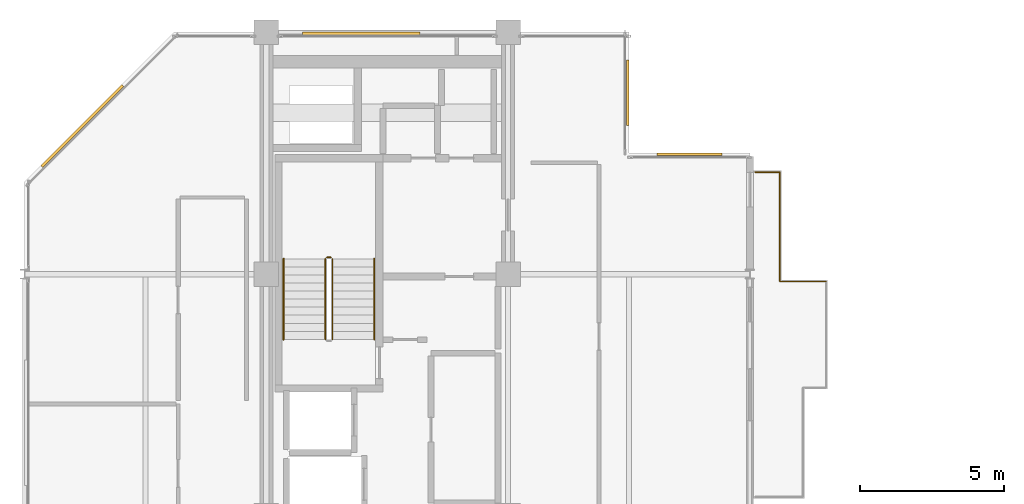
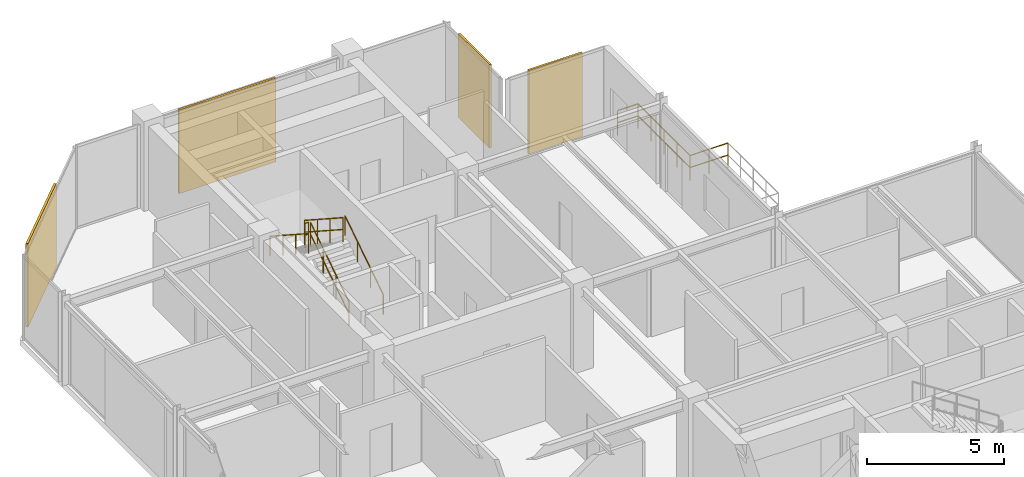
# One storey, part 24 of 24: 8 railings, 4 coverings.
"""IFC4 building model written with IfcOpenShell, lengths in metres."""

from ifc_helpers import new_model, si_unit, direction, frame, origin, origin_2d, place, context, subcontext, project, spatial, rectangle, circle, extrude, material, layer, layer_set, type_object, element, save


model = new_model("IFC4")

# Units and contexts
model_context = context("Model", 3, precision=1e-05, world=origin(), true_north=direction((0.0, 1.0)))
body_context = subcontext(model_context, "Body", "Model", "MODEL_VIEW")
ifc_project = project(units=[si_unit("LENGTHUNIT", "METRE"), si_unit("AREAUNIT", "SQUARE_METRE"), si_unit("VOLUMEUNIT", "CUBIC_METRE"), si_unit("PLANEANGLEUNIT", "RADIAN"), si_unit("MASSUNIT", "GRAM", prefix="KILO")], contexts=[model_context])

# Site, building, storey
site_placement = place(None, origin())
site = spatial("IfcSite", under=ifc_project, at=site_placement, CompositionType="ELEMENT")
building_placement = place(site_placement, origin())
building = spatial("IfcBuilding", under=site, at=building_placement, Name="Nerrivon Quay Data Exchange", CompositionType="ELEMENT")
storey_placement = place(building_placement, frame((0.0, 0.0, 310.199951171875)))
storey = spatial("IfcBuildingStorey", under=building, at=storey_placement, Name="L74", CompositionType="ELEMENT", Elevation=310.199951171875)

# Coverings
ifc_material_1 = material(Name="Architectural terracotta ceramic", Category="masonry")
ifc_layer = layer(ifc_material_1, 0.090087890625)
ifc_layer_set = layer_set([ifc_layer], Name="Architectural terracotta ceramic")
covering_type = type_object("IfcCoveringType", Name="COV-SCR-TERR", PredefinedType="CLADDING", material=ifc_layer_set)
covering_1_placement = place(storey_placement, frame((2.0078125, 38.744140625, 0.0), z_axis=(0.0, 0.0, 1.0), x_axis=(0.707106781187, 0.707106781187, 0.0)))
element("IfcCovering", 1, at=covering_1_placement, inside=storey, type_object=covering_type, Name="L74 Perforated Terracotta SOLAR SCREEN Cassette", PredefinedType="CLADDING", context=body_context, shape_type="SweptSolid", body=[
    extrude(rectangle(XDim=3.970947265625, YDim=0.090087890625, at=origin_2d()), origin(), (0.0, 0.0, 1.0), 3.72509765625),
])
covering_2_placement = place(storey_placement, frame((11.694091796875, 41.955078125, 0.0), z_axis=(0.0, 0.0, 1.0), x_axis=(1.0, 0.0, 0.0)))
element("IfcCovering", 2, at=covering_2_placement, inside=storey, type_object=covering_type, Name="L74 Perforated Terracotta SOLAR SCREEN Cassette", PredefinedType="CLADDING", context=body_context, shape_type="SweptSolid", body=[
    extrude(rectangle(XDim=4.076904296875, YDim=0.090087890625, at=origin_2d()), origin(), (0.0, 0.0, 1.0), 3.72509765625),
])
for number, where, z_axis, x_axis, name in (
    (3, (20.955078125, 39.89990234375, 0.0), (0.0, 0.0, 1.0), (0.0, -1.0, 0.0), "L74 Perforated Terracotta SOLAR SCREEN Cassette"),
    (4, (23.10009765625, 37.7548828125, 0.0), (0.0, 0.0, 1.0), (1.0, 0.0, 0.0), "L74 Perforated Terracotta SOLAR SCREEN Cassette"),
):
    element("IfcCovering", number, at=place(storey_placement, frame(where, z_axis=z_axis, x_axis=x_axis)), inside=storey, type_object=covering_type, Name=name, PredefinedType="CLADDING", context=body_context, shape_type="SweptSolid", body=[
        extrude(rectangle(XDim=2.26806640625, YDim=0.090087890625, at=origin_2d()), origin(), (0.0, 0.0, 1.0), 3.72509765625),
    ])

# Railings
ifc_material_2 = material(Name="Steel Grade C350L0 (350 MPa)", Category="steel")
railing_type_1 = type_object("IfcRailingType", Name="RAIL-GUARD-GR2", PredefinedType="BALUSTRADE", material=ifc_material_2)
railing_1_placement = place(storey_placement, frame((25.3798828125, 37.139892578125, 0.0)))
element("IfcRailing", 5, at=railing_1_placement, inside=storey, type_object=railing_type_1, Name="L74 Verandah Balcony Guard 1.3 1", PredefinedType="BALUSTRADE", context=body_context, shape_type="SweptSolid", body=[
    extrude(circle(Radius=0.02392578125, at=origin_2d()), frame((0.0, 0.0, 1.09619140625), z_axis=(1.0, 0.0, 0.0), x_axis=(0.0, 1.0, 0.0)), (0.0, 0.0, 1.0), 0.860107421875),
    extrude(circle(Radius=0.02392578125, at=origin_2d()), frame((0.0, 0.0, 0.56005859375), z_axis=(1.0, 0.0, 0.0), x_axis=(0.0, 1.0, 0.0)), (0.0, 0.0, 1.0), 0.860107421875),
    extrude(circle(Radius=0.02099609375, at=origin_2d()), origin(), (0.0, 0.0, 1.0), 1.072021484375),
    extrude(circle(Radius=0.02099609375, at=origin_2d()), frame((0.860107421875, 0.0, 0.0)), (0.0, 0.0, 1.0), 1.072021484375),
])
railing_2_placement = place(storey_placement, frame((26.239990234375, 37.139892578125, 0.0)))
element("IfcRailing", 6, at=railing_2_placement, inside=storey, type_object=railing_type_1, Name="L74 Verandah Balcony Guard 1.4 1", PredefinedType="BALUSTRADE", context=body_context, shape_type="SweptSolid", body=[
    extrude(circle(Radius=0.02392578125, at=origin_2d()), frame((0.0, 0.0, 1.09619140625), z_axis=(0.0, -1.0, 0.0), x_axis=(1.0, 0.0, 0.0)), (0.0, 0.0, 1.0), 3.7998046875),
    extrude(circle(Radius=0.02392578125, at=origin_2d()), frame((0.0, 0.0, 0.56005859375), z_axis=(0.0, -1.0, 0.0), x_axis=(1.0, 0.0, 0.0)), (0.0, 0.0, 1.0), 3.7998046875),
    extrude(circle(Radius=0.02099609375, at=origin_2d()), origin(), (0.0, 0.0, 1.0), 1.072021484375),
    extrude(circle(Radius=0.02099609375, at=origin_2d()), frame((0.0, -0.949951171875, 0.0)), (0.0, 0.0, 1.0), 1.072021484375),
    extrude(circle(Radius=0.02099609375, at=origin_2d()), frame((0.0, -1.89990234375, 0.0)), (0.0, 0.0, 1.0), 1.072021484375),
    extrude(circle(Radius=0.02099609375, at=origin_2d()), frame((0.0, -2.849853515625, 0.0)), (0.0, 0.0, 1.0), 1.072021484375),
    extrude(circle(Radius=0.02099609375, at=origin_2d()), frame((0.0, -3.7998046875, 0.0)), (0.0, 0.0, 1.0), 1.072021484375),
])
railing_3_placement = place(storey_placement, frame((26.239990234375, 33.340087890625, 0.0)))
element("IfcRailing", 7, at=railing_3_placement, inside=storey, type_object=railing_type_1, Name="L74 Verandah Balcony Guard 1.5 1", PredefinedType="BALUSTRADE", context=body_context, shape_type="SweptSolid", body=[
    extrude(circle(Radius=0.02392578125, at=origin_2d()), frame((0.0, 0.0, 1.09619140625), z_axis=(1.0, 0.0, 0.0), x_axis=(0.0, 1.0, 0.0)), (0.0, 0.0, 1.0), 1.60009765625),
    extrude(circle(Radius=0.02392578125, at=origin_2d()), frame((0.0, 0.0, 0.56005859375), z_axis=(1.0, 0.0, 0.0), x_axis=(0.0, 1.0, 0.0)), (0.0, 0.0, 1.0), 1.60009765625),
    extrude(circle(Radius=0.02099609375, at=origin_2d()), origin(), (0.0, 0.0, 1.0), 1.072021484375),
    extrude(circle(Radius=0.02099609375, at=origin_2d()), frame((0.800048828125, 0.0, 0.0)), (0.0, 0.0, 1.0), 1.072021484375),
    extrude(circle(Radius=0.02099609375, at=origin_2d()), frame((1.60009765625, 0.0, 0.0)), (0.0, 0.0, 1.0), 1.072021484375),
])
railing_type_2 = type_object("IfcRailingType", Name="RAIL-HAND-HR1", PredefinedType="HANDRAIL", material=ifc_material_2)
railing_4_placement = place(storey_placement, frame((12.14990234375, 31.330078125, 0.181884765625)))
element("IfcRailing", 8, at=railing_4_placement, inside=storey, type_object=railing_type_2, Name="L74 ST01 stair handrail 1", PredefinedType="HANDRAIL", context=body_context, shape_type="SweptSolid", body=[
    extrude(circle(Radius=0.02392578125, at=origin_2d()), frame((0.0, 0.0, 0.8759765625), z_axis=(0.0, 0.83868413941, 0.544618136222), x_axis=(-1.0, 0.0, 0.0)), (0.0, 0.0, 1.0), 3.33837890625),
    extrude(circle(Radius=0.02099609375, at=origin_2d()), origin(), (0.0, 0.0, 1.0), 0.851806640625),
    extrude(circle(Radius=0.02099609375, at=origin_2d()), frame((0.0, 0.933349609375, 0.60595703125)), (0.0, 0.0, 1.0), 0.851806640625),
    extrude(circle(Radius=0.02099609375, at=origin_2d()), frame((0.0, 1.866455078125, 1.212158203125)), (0.0, 0.0, 1.0), 0.851806640625),
    extrude(circle(Radius=0.02099609375, at=origin_2d()), frame((0.0, 2.7998046875, 1.818115234375)), (0.0, 0.0, 1.0), 0.851806640625),
])
railing_5_placement = place(storey_placement, frame((9.0, 34.1298828125, 2.181884765625)))
element("IfcRailing", 9, at=railing_5_placement, inside=storey, type_object=railing_type_2, Name="L74 ST01 stair handrail 2", PredefinedType="HANDRAIL", context=body_context, shape_type="SweptSolid", body=[
    extrude(circle(Radius=0.02392578125, at=origin_2d()), frame((0.0, 0.0, 0.8759765625), z_axis=(0.0, -0.83868413941, 0.544618136222), x_axis=(1.0, 0.0, 0.0)), (0.0, 0.0, 1.0), 3.33837890625),
    extrude(circle(Radius=0.02099609375, at=origin_2d()), origin(), (0.0, 0.0, 1.0), 0.851806640625),
    extrude(circle(Radius=0.02099609375, at=origin_2d()), frame((0.0, -0.933349609375, 0.60595703125)), (0.0, 0.0, 1.0), 0.851806640625),
    extrude(circle(Radius=0.02099609375, at=origin_2d()), frame((0.0, -1.866455078125, 1.212158203125)), (0.0, 0.0, 1.0), 0.851806640625),
    extrude(circle(Radius=0.02099609375, at=origin_2d()), frame((0.0, -2.7998046875, 1.818115234375)), (0.0, 0.0, 1.0), 0.851806640625),
])
railing_type_3 = type_object("IfcRailingType", Name="RAIL-STAIR-GR1", PredefinedType="BALUSTRADE", material=ifc_material_2)
railing_6_placement = place(storey_placement, frame((10.699951171875, 31.330078125, 0.181884765625)))
element("IfcRailing", 10, at=railing_6_placement, inside=storey, type_object=railing_type_3, Name="L74 ST01 stair guard 1", PredefinedType="BALUSTRADE", context=body_context, shape_type="SweptSolid", body=[
    extrude(circle(Radius=0.02392578125, at=origin_2d()), frame((0.0, 0.0, 1.076171875), z_axis=(0.0, 0.83868413941, 0.544618136222), x_axis=(-1.0, 0.0, 0.0)), (0.0, 0.0, 1.0), 3.33837890625),
    extrude(circle(Radius=0.02392578125, at=origin_2d()), frame((0.0, 0.0, 0.550048828125), z_axis=(0.0, 0.83868413941, 0.544618136222), x_axis=(-1.0, 0.0, 0.0)), (0.0, 0.0, 1.0), 3.33837890625),
    extrude(circle(Radius=0.02099609375, at=origin_2d()), origin(), (0.0, 0.0, 1.0), 1.052001953125),
    extrude(circle(Radius=0.02099609375, at=origin_2d()), frame((0.0, 0.933349609375, 0.60595703125)), (0.0, 0.0, 1.0), 1.052001953125),
    extrude(circle(Radius=0.02099609375, at=origin_2d()), frame((0.0, 1.866455078125, 1.212158203125)), (0.0, 0.0, 1.0), 1.052001953125),
    extrude(circle(Radius=0.02099609375, at=origin_2d()), frame((0.0, 2.7998046875, 1.818115234375)), (0.0, 0.0, 1.0), 1.052001953125),
])
railing_7_placement = place(storey_placement, frame((10.64990234375, 34.179931640625, 2.0)))
element("IfcRailing", 11, at=railing_7_placement, inside=storey, type_object=railing_type_3, Name="L74 ST01 stair guard 2", PredefinedType="BALUSTRADE", context=body_context, shape_type="SweptSolid", body=[
    extrude(circle(Radius=0.02392578125, at=origin_2d()), frame((0.0, 0.0, 1.076171875), z_axis=(-1.0, 0.0, 0.0), x_axis=(0.0, -1.0, 0.0)), (0.0, 0.0, 1.0), 0.14990234375),
    extrude(circle(Radius=0.02392578125, at=origin_2d()), frame((0.0, 0.0, 0.550048828125), z_axis=(-1.0, 0.0, 0.0), x_axis=(0.0, -1.0, 0.0)), (0.0, 0.0, 1.0), 0.14990234375),
    extrude(circle(Radius=0.02099609375, at=origin_2d()), origin(), (0.0, 0.0, 1.0), 1.052001953125),
    extrude(circle(Radius=0.02099609375, at=origin_2d()), frame((-0.14990234375, 0.0, 0.0)), (0.0, 0.0, 1.0), 1.052001953125),
])
railing_8_placement = place(storey_placement, frame((10.449951171875, 34.1298828125, 2.181884765625)))
element("IfcRailing", 12, at=railing_8_placement, inside=storey, type_object=railing_type_3, Name="L74 ST01 stair guard 3", PredefinedType="BALUSTRADE", context=body_context, shape_type="SweptSolid", body=[
    extrude(circle(Radius=0.02392578125, at=origin_2d()), frame((0.0, 0.0, 1.076171875), z_axis=(0.0, -0.83868413941, 0.544618136222), x_axis=(1.0, 0.0, 0.0)), (0.0, 0.0, 1.0), 3.33837890625),
    extrude(circle(Radius=0.02392578125, at=origin_2d()), frame((0.0, 0.0, 0.550048828125), z_axis=(0.0, -0.83868413941, 0.544618136222), x_axis=(1.0, 0.0, 0.0)), (0.0, 0.0, 1.0), 3.33837890625),
    extrude(circle(Radius=0.02099609375, at=origin_2d()), origin(), (0.0, 0.0, 1.0), 1.052001953125),
    extrude(circle(Radius=0.02099609375, at=origin_2d()), frame((0.0, -0.933349609375, 0.60595703125)), (0.0, 0.0, 1.0), 1.052001953125),
    extrude(circle(Radius=0.02099609375, at=origin_2d()), frame((0.0, -1.866455078125, 1.212158203125)), (0.0, 0.0, 1.0), 1.052001953125),
    extrude(circle(Radius=0.02099609375, at=origin_2d()), frame((0.0, -2.7998046875, 1.818115234375)), (0.0, 0.0, 1.0), 1.052001953125),
])

save(model, "model.ifc")
